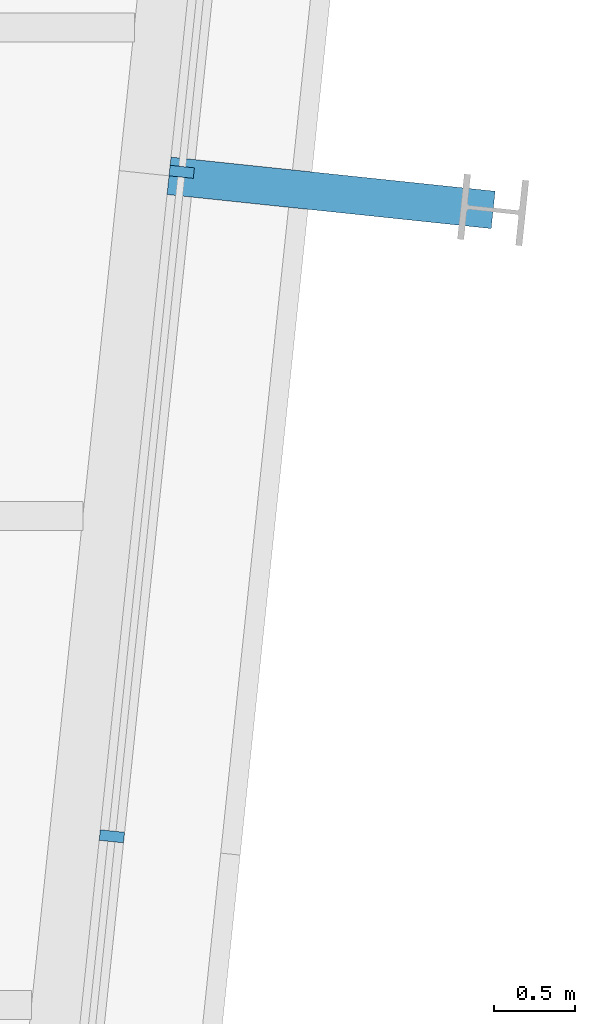
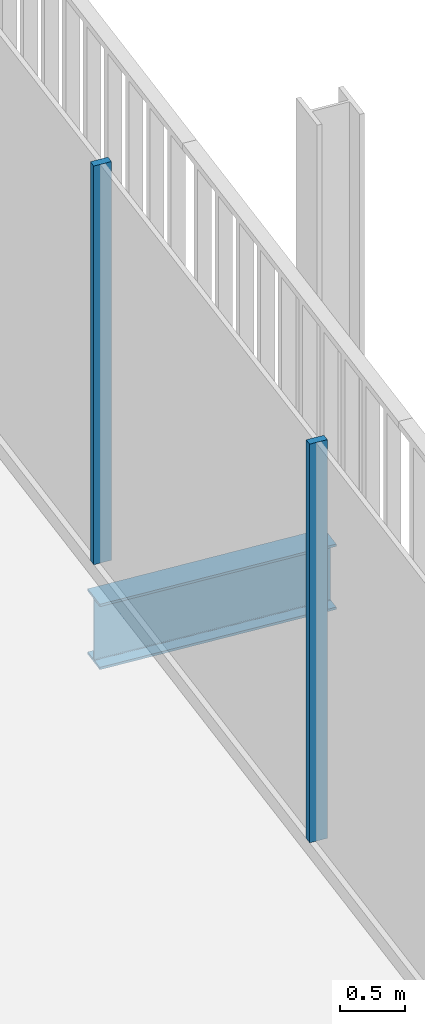
# One storey, part 11 of 20: 2 members, 1 beam, 1 element without a shape of its own.
"""IFC4 building model written with IfcOpenShell, lengths in metres."""

from ifc_helpers import new_model, si_unit, direction, frame, origin, origin_2d, place, context, subcontext, project, spatial, rectangle, i_section, extrude, material, layer, layer_set, material_profile, profile_set, type_object, element, aggregate, save


model = new_model("IFC4")

# Units and contexts
model_context = context("Model", 3, precision=1e-05, world=origin(), true_north=direction((0.0, 1.0)))
body_context = subcontext(model_context, "Body", "Model", "MODEL_VIEW")
ifc_project = project(units=[si_unit("LENGTHUNIT", "METRE"), si_unit("AREAUNIT", "SQUARE_METRE"), si_unit("VOLUMEUNIT", "CUBIC_METRE"), si_unit("PLANEANGLEUNIT", "RADIAN"), si_unit("MASSUNIT", "GRAM", prefix="KILO")], contexts=[model_context])

# Site, building, storey
site_placement = place(None, origin())
site = spatial("IfcSite", under=ifc_project, at=site_placement, CompositionType="ELEMENT")
building_placement = place(site_placement, origin())
building = spatial("IfcBuilding", under=site, at=building_placement, Name="Millrace Tower", CompositionType="ELEMENT")
storey_placement = place(building_placement, frame((0.0, 0.0, 322.60009765625)))
storey = spatial("IfcBuildingStorey", under=building, at=storey_placement, Name="L74", CompositionType="ELEMENT", Elevation=322.60009765625)

# Curtain wall, members
ifc_material_1 = material(Name="Aluminium and glass", Category="aluminium")
ifc_layer = layer(ifc_material_1, 0.14990234375)
ifc_layer_set = layer_set([ifc_layer], Name="Aluminium and glass")
curtain_wall_type = type_object("IfcCurtainWallType", Name="CW-1 office vision curtain wall", PredefinedType="NOTDEFINED", material=ifc_layer_set)
curtain_wall_placement = place(storey_placement, origin())
curtain_wall = element("IfcCurtainWall", 1, at=curtain_wall_placement, inside=storey, type_object=curtain_wall_type, Name="Curtain wall E-F04 L74", PredefinedType="NOTDEFINED")
ifc_material_2 = material(Name="Aluminium", Category="aluminium")
ifc_material_profile_1 = material_profile(ifc_material_2, rectangle(XDim=0.06494140625, YDim=0.14990234375, at=origin_2d()))
ifc_profile_set_1 = profile_set([ifc_material_profile_1], Name="Aluminium")
member_type = type_object("IfcMemberType", Name="CW-1 office vision curtain wall mullion", PredefinedType="MULLION", material=ifc_profile_set_1)
member_1_placement = place(storey_placement, frame((23.11767578125, 4.03515625, 0.139892578125), z_axis=(0.0, 0.0, 1.0), x_axis=(0.104528455196, 0.994521896217, 0.0)))
member_1 = element("IfcMember", 2, at=member_1_placement, type_object=member_type, Name="CW1 mullion E-F04.6", PredefinedType="MULLION", context=body_context, shape_type="SweptSolid", body=[
    extrude(rectangle(XDim=0.06494140625, YDim=0.14990234375, at=origin_2d()), origin(), (0.0, 0.0, 1.0), 3.760009765625),
])
member_2_placement = place(storey_placement, frame((23.546142578125, 8.11279296875, 0.139892578125), z_axis=(0.0, 0.0, 1.0), x_axis=(0.104528455196, 0.994521896217, 0.0)))
member_2 = element("IfcMember", 3, at=member_2_placement, type_object=member_type, Name="CW1 mullion E-F04.7", PredefinedType="MULLION", context=body_context, shape_type="SweptSolid", body=[
    extrude(rectangle(XDim=0.06494140625, YDim=0.14990234375, at=origin_2d()), origin(), (0.0, 0.0, 1.0), 3.760009765625),
])
aggregate(curtain_wall, [member_1, member_2])

# Beam
ifc_material_3 = material(Name="Steel ASTM A992 Grade 50", Category="steel")
ifc_material_profile_2 = material_profile(ifc_material_3, i_section(OverallWidth=0.23046875, OverallDepth=0.6171875, WebThickness=0.01318359375, FlangeThickness=0.022216796875, FilletRadius=0.012939453125, at=origin_2d()))
ifc_profile_set_2 = profile_set([ifc_material_profile_2], Name="Steel ASTM A992 Grade 50")
beam_type = type_object("IfcBeamType", Name="Link beam W24x94", PredefinedType="BEAM", material=ifc_profile_set_2)
beam_placement = place(storey_placement, frame((23.46826171875, 8.08837890625, -0.46875), z_axis=(0.994512808172, -0.104614886044, 0.0), x_axis=(0.104614886044, 0.994512808172, 0.0)))
element("IfcBeam", 4, at=beam_placement, inside=storey, type_object=beam_type, Name="LNK-E-L74-S1-10", PredefinedType="BEAM", context=body_context, shape_type="SweptSolid", body=[
    extrude(i_section(OverallWidth=0.23046875, OverallDepth=0.6171875, WebThickness=0.01318359375, FlangeThickness=0.022216796875, FilletRadius=0.012939453125, at=origin_2d()), origin(), (0.0, 0.0, 1.0), 2.0),
])

save(model, "model.ifc")
